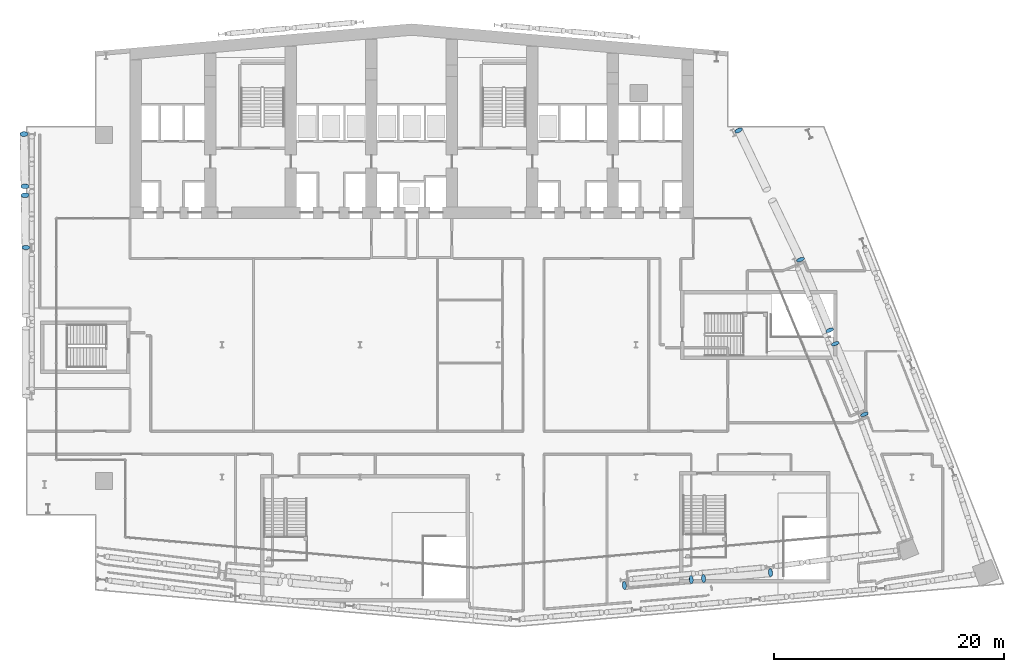
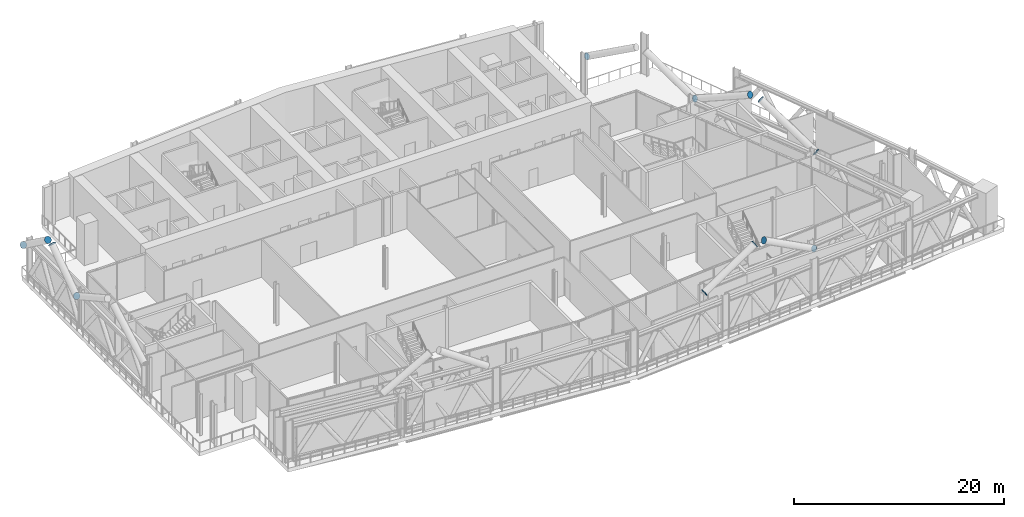
# One storey, part 25 of 42: 13 discrete accessories.
"""IFC4 building model written with IfcOpenShell, lengths in metres."""

from ifc_helpers import new_model, si_unit, direction, frame, origin, origin_2d, place, context, subcontext, project, spatial, circle, extrude, material, material_profile, profile_set, type_object, element, save


model = new_model("IFC4")

# Units and contexts
model_context = context("Model", 3, precision=1e-05, world=origin(), true_north=direction((0.0, 1.0)))
body_context = subcontext(model_context, "Body", "Model", "MODEL_VIEW")
ifc_project = project(units=[si_unit("LENGTHUNIT", "METRE"), si_unit("AREAUNIT", "SQUARE_METRE"), si_unit("VOLUMEUNIT", "CUBIC_METRE"), si_unit("PLANEANGLEUNIT", "RADIAN"), si_unit("MASSUNIT", "GRAM", prefix="KILO")], contexts=[model_context])

# Site, building, storey
site_placement = place(None, origin())
site = spatial("IfcSite", under=ifc_project, at=site_placement, CompositionType="ELEMENT")
building_placement = place(site_placement, origin())
building = spatial("IfcBuilding", under=site, at=building_placement, Name="Wharfspan Tower", CompositionType="ELEMENT")
storey_placement = place(building_placement, frame((0.0, 0.0, 147.100098)))
storey = spatial("IfcBuildingStorey", under=building, at=storey_placement, Name="L35", CompositionType="ELEMENT", Elevation=147.100098)

# Discrete accessories
ifc_material = material(Name="Steel S460NH", Category="steel")
ifc_material_profile = material_profile(ifc_material, circle(Radius=0.355469, at=origin_2d()))
ifc_profile_set = profile_set([ifc_material_profile], Name="Steel S460NH")
discrete_accessory_type = type_object("IfcDiscreteAccessoryType", Name="End plate CHS 711x36", PredefinedType="BRACKET", material=ifc_profile_set)
for number, where, z_axis, x_axis, name in (
    (1, (58.996094, 2.069824, 4.094971), (0.871847, 0.072654, 0.484359), (-0.083044, 0.996547, -3e-06), "End plate CHS 711x36"),
    (2, (64.812744, 2.578613, 7.392334), (0.871847, 0.072654, 0.484359), (-0.083044, 0.996547, -3e-06), "End plate CHS 711x36"),
):
    element("IfcDiscreteAccessory", number, at=place(storey_placement, frame(where, z_axis=z_axis, x_axis=x_axis)), inside=storey, type_object=discrete_accessory_type, Name=name, PredefinedType="BRACKET", context=body_context, shape_type="SweptSolid", body=[
        extrude(circle(Radius=0.355469, at=origin_2d()), origin(), (0.0, 0.0, 1.0), 0.01001),
    ])
discrete_accessory_1_placement = place(storey_placement, frame((71.7146, 3.182373, 4.094971), z_axis=(-0.865849, -0.074216, 0.494771), x_axis=(0.085402, -0.996345, 1e-06)))
element("IfcDiscreteAccessory", 3, at=discrete_accessory_1_placement, inside=storey, type_object=discrete_accessory_type, Name="End plate CHS 711x36", PredefinedType="BRACKET", context=body_context, shape_type="SweptSolid", body=[
    extrude(circle(Radius=0.355469, at=origin_2d()), origin(), (0.0, 0.0, 1.0), 0.009766),
])
for number, where, z_axis, x_axis, name in (
    (4, (65.897949, 2.673584, 7.392334), (-0.871847, -0.072654, 0.484359), (0.083044, -0.996547, -3e-06), "End plate CHS 711x36"),
    (5, (6.945068, 31.475342, 4.094971), (0.0, -0.874157, 0.485643), (1.0, 0.0, 0.0), "End plate CHS 711x36"),
    (6, (6.787842, 41.341064, 4.093994), (0.0245, -0.808493, 0.587995), (0.999537, 0.03029, 1e-06), "End plate CHS 711x36"),
):
    element("IfcDiscreteAccessory", number, at=place(storey_placement, frame(where, z_axis=z_axis, x_axis=x_axis)), inside=storey, type_object=discrete_accessory_type, Name=name, PredefinedType="BRACKET", context=body_context, shape_type="SweptSolid", body=[
        extrude(circle(Radius=0.355469, at=origin_2d()), origin(), (0.0, 0.0, 1.0), 0.01001),
    ])
discrete_accessory_2_placement = place(storey_placement, frame((6.860352, 36.790771, 7.414795), z_axis=(0.0, -0.816968, 0.576683), x_axis=(1.0, 0.0, 0.0)))
element("IfcDiscreteAccessory", 7, at=discrete_accessory_2_placement, inside=storey, type_object=discrete_accessory_type, Name="End plate CHS 711x36", PredefinedType="BRACKET", context=body_context, shape_type="SweptSolid", body=[
    extrude(circle(Radius=0.355469, at=origin_2d()), origin(), (0.0, 0.0, 1.0), 0.010254),
])
for number, where, z_axis, x_axis, name in (
    (8, (6.872803, 36.009033, 7.414795), (-0.0245, 0.808493, 0.587995), (-0.999537, -0.03029, 1e-06), "End plate CHS 711x36"),
    (9, (79.879883, 16.946045, 4.095459), (-0.341972, 0.830504, 0.439679), (-0.924678, -0.380749, -1e-06), "End plate CHS 711x36"),
    (10, (77.343018, 23.091309, 7.383301), (-0.341972, 0.830504, 0.439679), (-0.924678, -0.380749, -1e-06), "End plate CHS 711x36"),
    (11, (74.317139, 30.420166, 4.095459), (0.341972, -0.830504, 0.439679), (0.924678, 0.380749, -1e-06), "End plate CHS 711x36"),
    (12, (76.854248, 24.275146, 7.383301), (0.341972, -0.830504, 0.439679), (0.924678, 0.380749, -1e-06), "End plate CHS 711x36"),
    (13, (68.934814, 41.650879, 4.094971), (0.39036, -0.78072, 0.48795), (0.894428, 0.447214, 0.0), "End plate CHS 711x36"),
):
    element("IfcDiscreteAccessory", number, at=place(storey_placement, frame(where, z_axis=z_axis, x_axis=x_axis)), inside=storey, type_object=discrete_accessory_type, Name=name, PredefinedType="BRACKET", context=body_context, shape_type="SweptSolid", body=[
        extrude(circle(Radius=0.355469, at=origin_2d()), origin(), (0.0, 0.0, 1.0), 0.01001),
    ])

save(model, "model.ifc")
